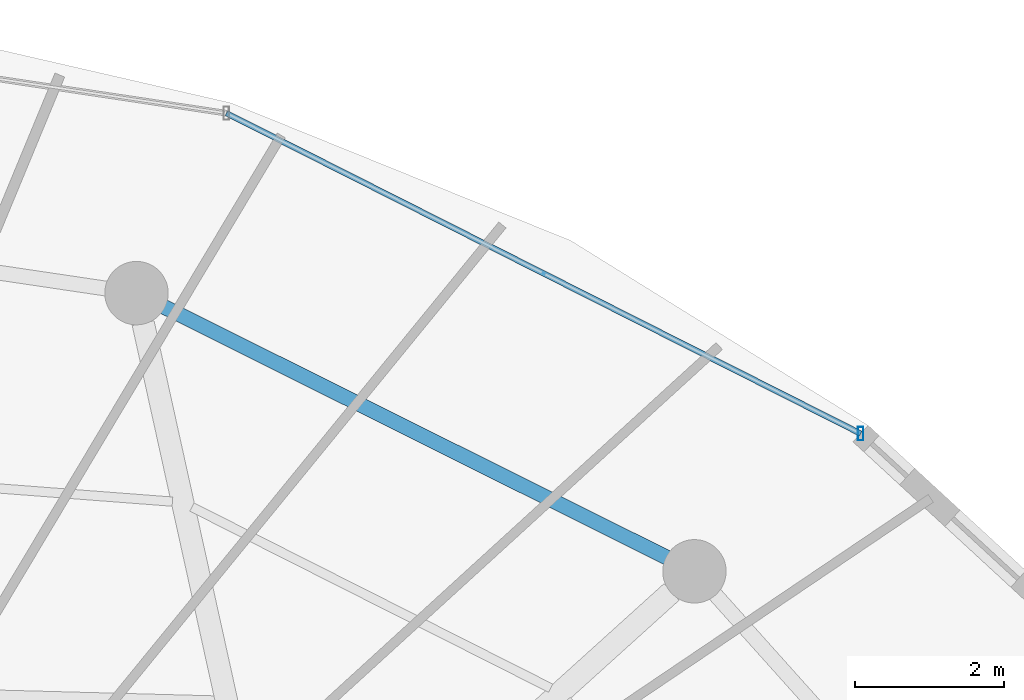
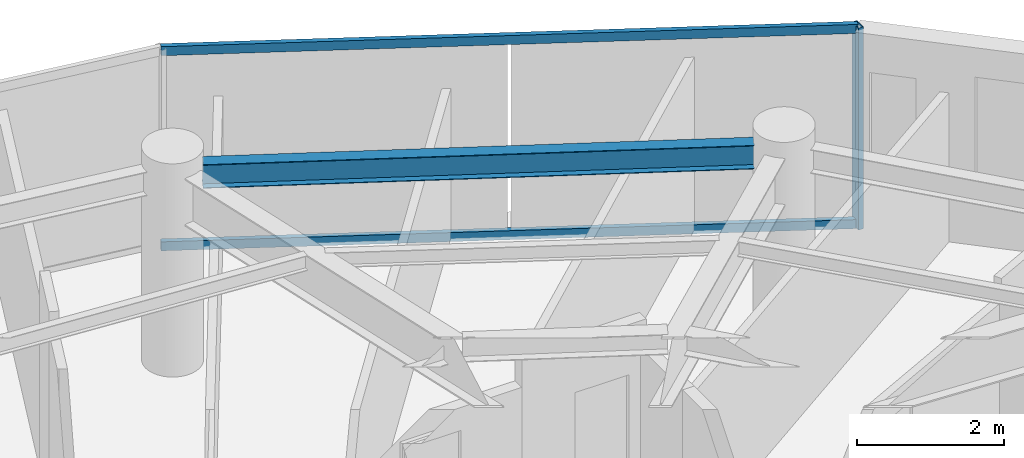
# One storey, part 18 of 29: 3 members, 1 beam, 1 element without a shape of its own.
"""IFC4 building model written with IfcOpenShell, lengths in metres."""

from ifc_helpers import new_model, si_unit, direction, frame, origin, origin_2d, place, context, subcontext, project, spatial, hollow_rectangle, i_section, extrude, material, material_profile, profile_set, type_object, element, aggregate, save


model = new_model("IFC4")

# Units and contexts
model_context = context("Model", 3, precision=1e-05, world=origin(), true_north=direction((0.0, 1.0)))
body_context = subcontext(model_context, "Body", "Model", "MODEL_VIEW")
ifc_project = project(units=[si_unit("LENGTHUNIT", "METRE"), si_unit("AREAUNIT", "SQUARE_METRE"), si_unit("VOLUMEUNIT", "CUBIC_METRE"), si_unit("PLANEANGLEUNIT", "RADIAN"), si_unit("MASSUNIT", "GRAM", prefix="KILO")], contexts=[model_context])

# Site, building, storey
site_placement = place(None, origin())
site = spatial("IfcSite", under=ifc_project, at=site_placement, CompositionType="ELEMENT")
building_placement = place(site_placement, origin())
building = spatial("IfcBuilding", under=site, at=building_placement, Name="Vorneva Point Tower", CompositionType="ELEMENT")
storey_placement = place(building_placement, frame((0.0, 0.0, 255.550048828125)))
storey = spatial("IfcBuildingStorey", under=building, at=storey_placement, Name="L69", CompositionType="ELEMENT", Elevation=255.550048828125)

# Beam
ifc_material_1 = material(Name="Steel S355", Category="steel")
ifc_material_profile_1 = material_profile(ifc_material_1, i_section(OverallWidth=0.198974609375, OverallDepth=0.39599609375, WebThickness=0.007080078125, FlangeThickness=0.010986328125, at=origin_2d()), Name="40B1")
ifc_profile_set_1 = profile_set([ifc_material_profile_1], Name="Steel S355")
beam_type = type_object("IfcBeamType", Name="BM-SPN-40B1", PredefinedType="SPANDREL", material=ifc_profile_set_1)
beam_placement = place(storey_placement, frame((53.931884765625, 38.34521484375, 3.092041015625), z_axis=(-0.894932011528, 0.446202526599, 0.0), x_axis=(-0.446202526599, -0.894932011528, 0.0)))
element("IfcBeam", 1, at=beam_placement, inside=storey, type_object=beam_type, Name="L69 Perimeter Spandrel Ring Beam 03", PredefinedType="SPANDREL", context=body_context, shape_type="SweptSolid", body=[
    extrude(i_section(OverallWidth=0.198974609375, OverallDepth=0.39599609375, WebThickness=0.007080078125, FlangeThickness=0.010986328125, at=origin_2d()), origin(), (0.0, 0.0, 1.0), 7.535888671875),
])

# Curtain wall, members
ifc_material_2 = material(Name="Pale anodised aluminium", Category="aluminium")
curtain_wall_type = type_object("IfcCurtainWallType", Name="CW-RES-SYS", PredefinedType="NOTDEFINED", material=ifc_material_2)
curtain_wall_placement = place(storey_placement, origin())
curtain_wall = element("IfcCurtainWall", 2, at=curtain_wall_placement, inside=storey, type_object=curtain_wall_type, Name="L69 Unitised Curtain Wall CW-L69-R02", PredefinedType="NOTDEFINED")
ifc_material_profile_2 = material_profile(ifc_material_2, hollow_rectangle(XDim=0.074951171875, YDim=0.179931640625, WallThickness=0.00390625, at=origin_2d()), Name="AL-MUL 180x75x4")
ifc_profile_set_2 = profile_set([ifc_material_profile_2], Name="Pale anodised aluminium")
member_type_1 = type_object("IfcMemberType", Name="CW-MUL-180", PredefinedType="MULLION", material=ifc_profile_set_2)
member_1_placement = place(storey_placement, frame((56.526123046875, 40.0078125, -0.0400390625), z_axis=(0.0, 0.0, 1.0), x_axis=(1.0, 0.0, 0.0)))
member_1 = element("IfcMember", 3, at=member_1_placement, type_object=member_type_1, Name="CW-L69-R02 Mullion 01", PredefinedType="MULLION", context=body_context, shape_type="SweptSolid", body=[
    extrude(hollow_rectangle(XDim=0.074951171875, YDim=0.179931640625, WallThickness=0.00390625, at=origin_2d()), origin(), (0.0, 0.0, 1.0), 3.360107421875),
])
ifc_material_profile_3 = material_profile(ifc_material_2, hollow_rectangle(XDim=0.074951171875, YDim=0.14990234375, WallThickness=0.00390625, at=origin_2d()), Name="AL-TRN 150x75x4")
ifc_profile_set_3 = profile_set([ifc_material_profile_3], Name="Pale anodised aluminium")
member_type_2 = type_object("IfcMemberType", Name="CW-TRN-150", PredefinedType="USERDEFINED", material=ifc_profile_set_3)
member_2_placement = place(storey_placement, frame((56.526123046875, 40.0078125, 0.02001953125), z_axis=(-0.892558185815, 0.450932239848, 0.0), x_axis=(-0.450932239848, -0.892558185815, 0.0)))
member_2 = element("IfcMember", 4, at=member_2_placement, type_object=member_type_2, Name="CW-L69-R02 Transom 01.1", ObjectType="TRANSOM", PredefinedType="USERDEFINED", context=body_context, shape_type="SweptSolid", body=[
    extrude(hollow_rectangle(XDim=0.074951171875, YDim=0.14990234375, WallThickness=0.00390625, at=origin_2d()), origin(), (0.0, 0.0, 1.0), 9.52294921875),
])
member_3_placement = place(storey_placement, frame((56.526123046875, 40.0078125, 3.27001953125), z_axis=(-0.892558185815, 0.450932239848, 0.0), x_axis=(-0.450932239848, -0.892558185815, 0.0)))
member_3 = element("IfcMember", 5, at=member_3_placement, type_object=member_type_2, Name="CW-L69-R02 Transom 01.2", ObjectType="TRANSOM", PredefinedType="USERDEFINED", context=body_context, shape_type="SweptSolid", body=[
    extrude(hollow_rectangle(XDim=0.074951171875, YDim=0.14990234375, WallThickness=0.00390625, at=origin_2d()), origin(), (0.0, 0.0, 1.0), 9.52294921875),
])
aggregate(curtain_wall, [member_1, member_2, member_3])

save(model, "model.ifc")
